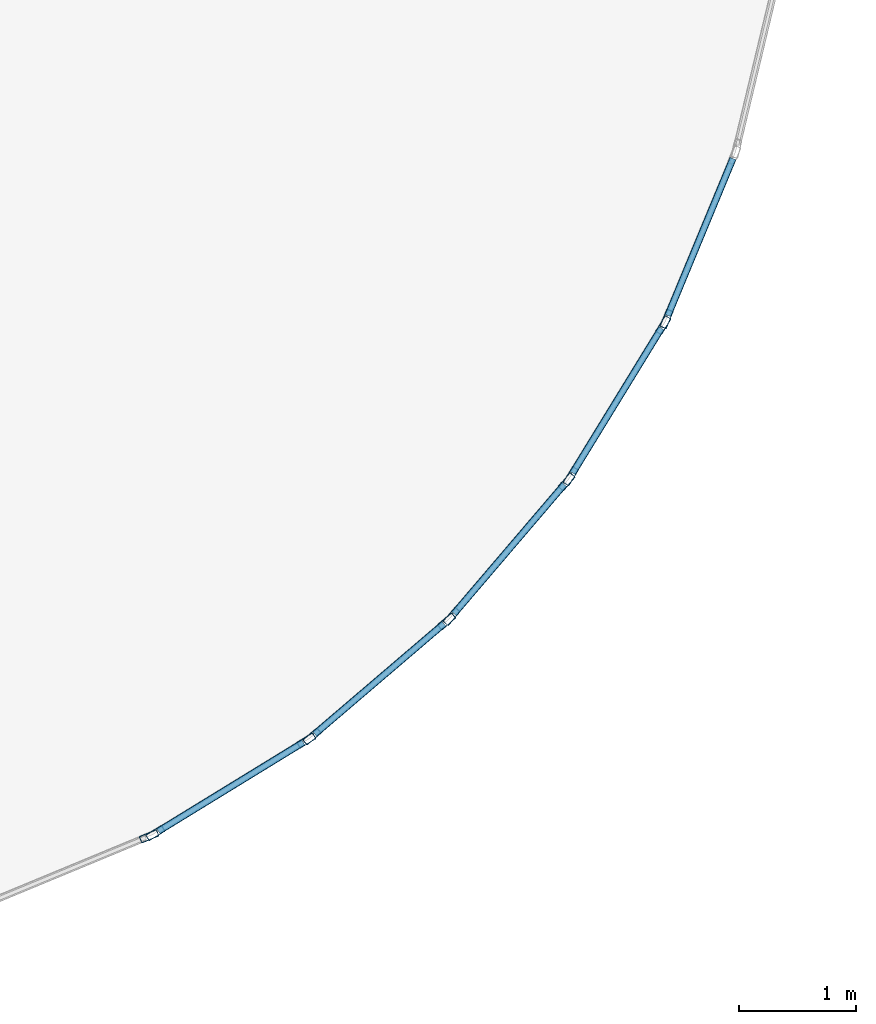
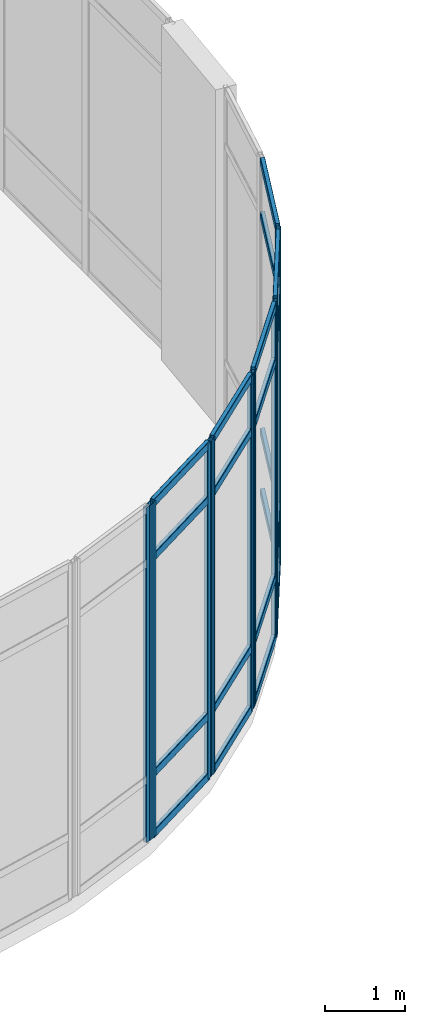
# One storey, part 71 of 114: 30 members, 6 elements without a shape of their own.
"""IFC4 building model written with IfcOpenShell, lengths in metres."""

from ifc_helpers import new_model, si_unit, derived_unit, direction, frame, origin, origin_2d, place, context, subcontext, project, spatial, hollow_rectangle, extrude, material, layer, layer_set, material_profile, profile_set, type_object, element, aggregate, save


model = new_model("IFC4")

# Units and contexts
model_context = context("Model", 3, precision=1e-05, world=origin(), true_north=direction((0.0, 1.0)))
body_context = subcontext(model_context, "Body", "Model", "MODEL_VIEW")
ifc_project = project(units=[si_unit("LENGTHUNIT", "METRE"), si_unit("AREAUNIT", "SQUARE_METRE"), si_unit("VOLUMEUNIT", "CUBIC_METRE"), si_unit("PLANEANGLEUNIT", "RADIAN"), si_unit("MASSUNIT", "GRAM", prefix="KILO"), derived_unit("THERMALTRANSMITTANCEUNIT", [(si_unit("MASSUNIT", "GRAM", prefix="KILO"), 1), (si_unit("TIMEUNIT", "SECOND"), -3), (si_unit("THERMODYNAMICTEMPERATUREUNIT", "KELVIN"), -1)])], contexts=[model_context])

# Site, building, storey
site_placement = place(None, origin())
site = spatial("IfcSite", under=ifc_project, at=site_placement, CompositionType="ELEMENT")
building_placement = place(site_placement, origin())
building = spatial("IfcBuilding", under=site, at=building_placement, Name="Qinzheling Arcade Emporium", CompositionType="ELEMENT")
storey_placement = place(building_placement, frame((0.0, 0.0, 6.0)))
storey = spatial("IfcBuildingStorey", under=building, at=storey_placement, Name="L02", CompositionType="ELEMENT", Elevation=6.0)

# Curtain wall, member
ifc_material_1 = material(Name="Anodised aluminium and solar-control double glazing", Category="aluminium")
ifc_layer = layer(ifc_material_1, 0.159912109375, Name="Anodised aluminium and solar-control double glazing", Category="aluminium")
ifc_layer_set = layer_set([ifc_layer], Name="Anodised aluminium and solar-control double glazing")
curtain_wall_type = type_object("IfcCurtainWallType", Name="Curved Ribbon Sales Curtain Wall", PredefinedType="NOTDEFINED", material=ifc_layer_set)
curtain_wall_1_placement = place(storey_placement, origin())
curtain_wall_1 = element("IfcCurtainWall", 1, at=curtain_wall_1_placement, inside=storey, type_object=curtain_wall_type, Name="Curtain Wall CW-L02-115", PredefinedType="NOTDEFINED")
ifc_material_2 = material(Name="Anodised aluminium 6063-T6", Category="aluminium")
ifc_material_profile_1 = material_profile(ifc_material_2, hollow_rectangle(XDim=0.06005859375, YDim=0.159912109375, WallThickness=0.00390625, InnerFilletRadius=0.00390625, OuterFilletRadius=0.008056640625, at=origin_2d()), Name="RHS 160x60x4", Category="aluminium")
ifc_profile_set_1 = profile_set([ifc_material_profile_1], Name="Anodised aluminium 6063-T6")
member_type_1 = type_object("IfcMemberType", Name="Curtain Wall Mullion RHS160x60", PredefinedType="MULLION", material=ifc_profile_set_1)
member_1_placement = place(storey_placement, frame((146.821533203125, 79.28759765625, 0.0), z_axis=(0.0, 0.0, 1.0), x_axis=(0.923791586038, -0.382895684967, 0.0)))
member_1 = element("IfcMember", 2, at=member_1_placement, type_object=member_type_1, Name="CW02 mullion 2", PredefinedType="MULLION", context=body_context, shape_type="SweptSolid", body=[
    extrude(hollow_rectangle(XDim=0.06005859375, YDim=0.159912109375, WallThickness=0.00390625, InnerFilletRadius=0.00390625, OuterFilletRadius=0.008056640625, at=origin_2d()), origin(), (0.0, 0.0, 1.0), 5.090087890625),
])

# Curtain wall, members
curtain_wall_2_placement = place(storey_placement, origin())
curtain_wall_2 = element("IfcCurtainWall", 3, at=curtain_wall_2_placement, inside=storey, type_object=curtain_wall_type, Name="Curtain Wall CW-L02-116", PredefinedType="NOTDEFINED")
member_2_placement = place(storey_placement, frame((146.79443359375, 79.234375, 0.0), z_axis=(0.0, 0.0, 1.0), x_axis=(0.852619568756, -0.522532172191, 0.0)))
member_2 = element("IfcMember", 4, at=member_2_placement, type_object=member_type_1, Name="CW02 mullion 1", PredefinedType="MULLION", context=body_context, shape_type="SweptSolid", body=[
    extrude(hollow_rectangle(XDim=0.06005859375, YDim=0.159912109375, WallThickness=0.00390625, InnerFilletRadius=0.00390625, OuterFilletRadius=0.008056640625, at=origin_2d()), origin(), (0.0, 0.0, 1.0), 5.090087890625),
])
member_3_placement = place(storey_placement, frame((146.005615234375, 77.947509765625, 0.0), z_axis=(0.0, 0.0, 1.0), x_axis=(0.852619568756, -0.522532172191, 0.0)))
member_3 = element("IfcMember", 5, at=member_3_placement, type_object=member_type_1, Name="CW02 mullion 2", PredefinedType="MULLION", context=body_context, shape_type="SweptSolid", body=[
    extrude(hollow_rectangle(XDim=0.06005859375, YDim=0.159912109375, WallThickness=0.00390625, InnerFilletRadius=0.00390625, OuterFilletRadius=0.008056640625, at=origin_2d()), origin(), (0.0, 0.0, 1.0), 5.090087890625),
])

curtain_wall_3_placement = place(storey_placement, origin())
curtain_wall_3 = element("IfcCurtainWall", 6, at=curtain_wall_3_placement, inside=storey, type_object=curtain_wall_type, Name="Curtain Wall CW-L02-117", PredefinedType="NOTDEFINED")
member_4_placement = place(storey_placement, frame((145.970458984375, 77.899169921875, 0.0), z_axis=(0.0, 0.0, 1.0), x_axis=(0.760380235773, -0.649478172878, 0.0)))
member_4 = element("IfcMember", 7, at=member_4_placement, type_object=member_type_1, Name="CW02 mullion 1", PredefinedType="MULLION", context=body_context, shape_type="SweptSolid", body=[
    extrude(hollow_rectangle(XDim=0.06005859375, YDim=0.159912109375, WallThickness=0.00390625, InnerFilletRadius=0.00390625, OuterFilletRadius=0.008056640625, at=origin_2d()), origin(), (0.0, 0.0, 1.0), 5.090087890625),
])
member_5_placement = place(storey_placement, frame((144.990478515625, 76.751708984375, 0.0), z_axis=(0.0, 0.0, 1.0), x_axis=(0.760380235773, -0.649478172878, 0.0)))
member_5 = element("IfcMember", 8, at=member_5_placement, type_object=member_type_1, Name="CW02 mullion 2", PredefinedType="MULLION", context=body_context, shape_type="SweptSolid", body=[
    extrude(hollow_rectangle(XDim=0.06005859375, YDim=0.159912109375, WallThickness=0.00390625, InnerFilletRadius=0.00390625, OuterFilletRadius=0.008056640625, at=origin_2d()), origin(), (0.0, 0.0, 1.0), 5.090087890625),
])

curtain_wall_4_placement = place(storey_placement, origin())
curtain_wall_4 = element("IfcCurtainWall", 9, at=curtain_wall_4_placement, inside=storey, type_object=curtain_wall_type, Name="Curtain Wall CW-L02-118", PredefinedType="NOTDEFINED")
member_6_placement = place(storey_placement, frame((144.9482421875, 76.70947265625, 0.0), z_axis=(0.0, 0.0, 1.0), x_axis=(0.649478172878, -0.760380235773, 0.0)))
member_6 = element("IfcMember", 10, at=member_6_placement, type_object=member_type_1, Name="CW02 mullion 1", PredefinedType="MULLION", context=body_context, shape_type="SweptSolid", body=[
    extrude(hollow_rectangle(XDim=0.06005859375, YDim=0.159912109375, WallThickness=0.00390625, InnerFilletRadius=0.00390625, OuterFilletRadius=0.008056640625, at=origin_2d()), origin(), (0.0, 0.0, 1.0), 5.090087890625),
])
member_7_placement = place(storey_placement, frame((143.80078125, 75.7294921875, 0.0), z_axis=(0.0, 0.0, 1.0), x_axis=(0.649478172878, -0.760380235773, 0.0)))
member_7 = element("IfcMember", 11, at=member_7_placement, type_object=member_type_1, Name="CW02 mullion 2", PredefinedType="MULLION", context=body_context, shape_type="SweptSolid", body=[
    extrude(hollow_rectangle(XDim=0.06005859375, YDim=0.159912109375, WallThickness=0.00390625, InnerFilletRadius=0.00390625, OuterFilletRadius=0.008056640625, at=origin_2d()), origin(), (0.0, 0.0, 1.0), 5.090087890625),
])

curtain_wall_5_placement = place(storey_placement, origin())
curtain_wall_5 = element("IfcCurtainWall", 12, at=curtain_wall_5_placement, inside=storey, type_object=curtain_wall_type, Name="Curtain Wall CW-L02-119", PredefinedType="NOTDEFINED")
member_8_placement = place(storey_placement, frame((143.75244140625, 75.6943359375, 0.0), z_axis=(0.0, 0.0, 1.0), x_axis=(0.522532172191, -0.852619568756, 0.0)))
member_8 = element("IfcMember", 13, at=member_8_placement, type_object=member_type_1, Name="CW02 mullion 1", PredefinedType="MULLION", context=body_context, shape_type="SweptSolid", body=[
    extrude(hollow_rectangle(XDim=0.06005859375, YDim=0.159912109375, WallThickness=0.00390625, InnerFilletRadius=0.00390625, OuterFilletRadius=0.008056640625, at=origin_2d()), origin(), (0.0, 0.0, 1.0), 5.090087890625),
])
member_9_placement = place(storey_placement, frame((142.465576171875, 74.90576171875, 0.0), z_axis=(0.0, 0.0, 1.0), x_axis=(0.522532172191, -0.852619568756, 0.0)))
member_9 = element("IfcMember", 14, at=member_9_placement, type_object=member_type_1, Name="CW02 mullion 2", PredefinedType="MULLION", context=body_context, shape_type="SweptSolid", body=[
    extrude(hollow_rectangle(XDim=0.06005859375, YDim=0.159912109375, WallThickness=0.00390625, InnerFilletRadius=0.00390625, OuterFilletRadius=0.008056640625, at=origin_2d()), origin(), (0.0, 0.0, 1.0), 5.090087890625),
])

# Curtain wall, member
curtain_wall_6_placement = place(storey_placement, origin())
curtain_wall_6 = element("IfcCurtainWall", 15, at=curtain_wall_6_placement, inside=storey, type_object=curtain_wall_type, Name="Curtain Wall CW-L02-120", PredefinedType="NOTDEFINED")
member_10_placement = place(storey_placement, frame((142.412353515625, 74.87841796875, 0.0), z_axis=(0.0, 0.0, 1.0), x_axis=(0.382895684967, -0.923791586038, 0.0)))
member_10 = element("IfcMember", 16, at=member_10_placement, type_object=member_type_1, Name="CW02 mullion 1", PredefinedType="MULLION", context=body_context, shape_type="SweptSolid", body=[
    extrude(hollow_rectangle(XDim=0.06005859375, YDim=0.159912109375, WallThickness=0.00390625, InnerFilletRadius=0.00390625, OuterFilletRadius=0.008056640625, at=origin_2d()), origin(), (0.0, 0.0, 1.0), 5.090087890625),
])
aggregate(curtain_wall_6, [member_10])

# Member
ifc_material_profile_2 = material_profile(ifc_material_2, hollow_rectangle(XDim=0.06005859375, YDim=0.1201171875, WallThickness=0.00390625, InnerFilletRadius=0.00390625, OuterFilletRadius=0.008056640625, at=origin_2d()), Name="RHS 120x60x4", Category="aluminium")
ifc_profile_set_2 = profile_set([ifc_material_profile_2], Name="Anodised aluminium 6063-T6")
member_type_2 = type_object("IfcMemberType", Name="Curtain Wall Transom RHS120x60", PredefinedType="USERDEFINED", material=ifc_profile_set_2)
member_11_placement = place(storey_placement, frame((147.387939453125, 80.654541015625, 0.030029296875), z_axis=(-0.382832738774, -0.923817673636, 0.0), x_axis=(0.923817673636, -0.382832738774, 0.0)))
member_11 = element("IfcMember", 17, at=member_11_placement, type_object=member_type_2, Name="CW02 transom 1.1", ObjectType="TRANSOM", PredefinedType="USERDEFINED", context=body_context, shape_type="SweptSolid", body=[
    extrude(hollow_rectangle(XDim=0.06005859375, YDim=0.1201171875, WallThickness=0.00390625, InnerFilletRadius=0.00390625, OuterFilletRadius=0.008056640625, at=origin_2d()), origin(), (0.0, 0.0, 1.0), 1.449462890625),
])

member_12_placement = place(storey_placement, frame((147.387939453125, 80.654541015625, 0.949951171875), z_axis=(-0.382832738774, -0.923817673636, 0.0), x_axis=(0.923817673636, -0.382832738774, 0.0)))
member_12 = element("IfcMember", 18, at=member_12_placement, type_object=member_type_2, Name="CW02 transom 1.2", ObjectType="TRANSOM", PredefinedType="USERDEFINED", context=body_context, shape_type="SweptSolid", body=[
    extrude(hollow_rectangle(XDim=0.06005859375, YDim=0.1201171875, WallThickness=0.00390625, InnerFilletRadius=0.00390625, OuterFilletRadius=0.008056640625, at=origin_2d()), origin(), (0.0, 0.0, 1.0), 1.449462890625),
])

member_13_placement = place(storey_placement, frame((147.387939453125, 80.654541015625, 4.239990234375), z_axis=(-0.382832738774, -0.923817673636, 0.0), x_axis=(0.923817673636, -0.382832738774, 0.0)))
member_13 = element("IfcMember", 19, at=member_13_placement, type_object=member_type_2, Name="CW02 transom 1.3", ObjectType="TRANSOM", PredefinedType="USERDEFINED", context=body_context, shape_type="SweptSolid", body=[
    extrude(hollow_rectangle(XDim=0.06005859375, YDim=0.1201171875, WallThickness=0.00390625, InnerFilletRadius=0.00390625, OuterFilletRadius=0.008056640625, at=origin_2d()), origin(), (0.0, 0.0, 1.0), 1.449462890625),
])

member_14_placement = place(storey_placement, frame((147.387939453125, 80.654541015625, 5.06005859375), z_axis=(-0.382832738774, -0.923817673636, 0.0), x_axis=(0.923817673636, -0.382832738774, 0.0)))
member_14 = element("IfcMember", 20, at=member_14_placement, type_object=member_type_2, Name="CW02 transom 1.4", ObjectType="TRANSOM", PredefinedType="USERDEFINED", context=body_context, shape_type="SweptSolid", body=[
    extrude(hollow_rectangle(XDim=0.06005859375, YDim=0.1201171875, WallThickness=0.00390625, InnerFilletRadius=0.00390625, OuterFilletRadius=0.008056640625, at=origin_2d()), origin(), (0.0, 0.0, 1.0), 1.449462890625),
])

aggregate(curtain_wall_1, [member_1, member_11, member_12, member_13, member_14])

member_15_placement = place(storey_placement, frame((146.778564453125, 79.208740234375, 0.030029296875), z_axis=(-0.522573908945, -0.852593988772, 0.0), x_axis=(0.852593988772, -0.522573908945, 0.0)))
member_15 = element("IfcMember", 21, at=member_15_placement, type_object=member_type_2, Name="CW02 transom 1.1", ObjectType="TRANSOM", PredefinedType="USERDEFINED", context=body_context, shape_type="SweptSolid", body=[
    extrude(hollow_rectangle(XDim=0.06005859375, YDim=0.1201171875, WallThickness=0.00390625, InnerFilletRadius=0.00390625, OuterFilletRadius=0.008056640625, at=origin_2d()), origin(), (0.0, 0.0, 1.0), 1.44921875),
])

member_16_placement = place(storey_placement, frame((146.778564453125, 79.208740234375, 0.949951171875), z_axis=(-0.522573908945, -0.852593988772, 0.0), x_axis=(0.852593988772, -0.522573908945, 0.0)))
member_16 = element("IfcMember", 22, at=member_16_placement, type_object=member_type_2, Name="CW02 transom 1.2", ObjectType="TRANSOM", PredefinedType="USERDEFINED", context=body_context, shape_type="SweptSolid", body=[
    extrude(hollow_rectangle(XDim=0.06005859375, YDim=0.1201171875, WallThickness=0.00390625, InnerFilletRadius=0.00390625, OuterFilletRadius=0.008056640625, at=origin_2d()), origin(), (0.0, 0.0, 1.0), 1.44921875),
])

member_17_placement = place(storey_placement, frame((146.778564453125, 79.208740234375, 4.239990234375), z_axis=(-0.522573908945, -0.852593988772, 0.0), x_axis=(0.852593988772, -0.522573908945, 0.0)))
member_17 = element("IfcMember", 23, at=member_17_placement, type_object=member_type_2, Name="CW02 transom 1.3", ObjectType="TRANSOM", PredefinedType="USERDEFINED", context=body_context, shape_type="SweptSolid", body=[
    extrude(hollow_rectangle(XDim=0.06005859375, YDim=0.1201171875, WallThickness=0.00390625, InnerFilletRadius=0.00390625, OuterFilletRadius=0.008056640625, at=origin_2d()), origin(), (0.0, 0.0, 1.0), 1.44921875),
])

member_18_placement = place(storey_placement, frame((146.778564453125, 79.208740234375, 5.06005859375), z_axis=(-0.522573908945, -0.852593988772, 0.0), x_axis=(0.852593988772, -0.522573908945, 0.0)))
member_18 = element("IfcMember", 24, at=member_18_placement, type_object=member_type_2, Name="CW02 transom 1.4", ObjectType="TRANSOM", PredefinedType="USERDEFINED", context=body_context, shape_type="SweptSolid", body=[
    extrude(hollow_rectangle(XDim=0.06005859375, YDim=0.1201171875, WallThickness=0.00390625, InnerFilletRadius=0.00390625, OuterFilletRadius=0.008056640625, at=origin_2d()), origin(), (0.0, 0.0, 1.0), 1.44921875),
])

aggregate(curtain_wall_2, [member_2, member_3, member_15, member_16, member_17, member_18])

member_19_placement = place(storey_placement, frame((145.950927734375, 77.87646484375, 0.030029296875), z_axis=(-0.649402631716, -0.760444752707, 0.0), x_axis=(0.760444752707, -0.649402631716, 0.0)))
member_19 = element("IfcMember", 25, at=member_19_placement, type_object=member_type_2, Name="CW02 transom 1.1", ObjectType="TRANSOM", PredefinedType="USERDEFINED", context=body_context, shape_type="SweptSolid", body=[
    extrude(hollow_rectangle(XDim=0.06005859375, YDim=0.1201171875, WallThickness=0.00390625, InnerFilletRadius=0.00390625, OuterFilletRadius=0.008056640625, at=origin_2d()), origin(), (0.0, 0.0, 1.0), 1.448974609375),
])

member_20_placement = place(storey_placement, frame((145.950927734375, 77.87646484375, 0.949951171875), z_axis=(-0.649402631716, -0.760444752707, 0.0), x_axis=(0.760444752707, -0.649402631716, 0.0)))
member_20 = element("IfcMember", 26, at=member_20_placement, type_object=member_type_2, Name="CW02 transom 1.2", ObjectType="TRANSOM", PredefinedType="USERDEFINED", context=body_context, shape_type="SweptSolid", body=[
    extrude(hollow_rectangle(XDim=0.06005859375, YDim=0.1201171875, WallThickness=0.00390625, InnerFilletRadius=0.00390625, OuterFilletRadius=0.008056640625, at=origin_2d()), origin(), (0.0, 0.0, 1.0), 1.448974609375),
])

member_21_placement = place(storey_placement, frame((145.950927734375, 77.87646484375, 4.239990234375), z_axis=(-0.649402631716, -0.760444752707, 0.0), x_axis=(0.760444752707, -0.649402631716, 0.0)))
member_21 = element("IfcMember", 27, at=member_21_placement, type_object=member_type_2, Name="CW02 transom 1.3", ObjectType="TRANSOM", PredefinedType="USERDEFINED", context=body_context, shape_type="SweptSolid", body=[
    extrude(hollow_rectangle(XDim=0.06005859375, YDim=0.1201171875, WallThickness=0.00390625, InnerFilletRadius=0.00390625, OuterFilletRadius=0.008056640625, at=origin_2d()), origin(), (0.0, 0.0, 1.0), 1.448974609375),
])

member_22_placement = place(storey_placement, frame((145.950927734375, 77.87646484375, 5.06005859375), z_axis=(-0.649402631716, -0.760444752707, 0.0), x_axis=(0.760444752707, -0.649402631716, 0.0)))
member_22 = element("IfcMember", 28, at=member_22_placement, type_object=member_type_2, Name="CW02 transom 1.4", ObjectType="TRANSOM", PredefinedType="USERDEFINED", context=body_context, shape_type="SweptSolid", body=[
    extrude(hollow_rectangle(XDim=0.06005859375, YDim=0.1201171875, WallThickness=0.00390625, InnerFilletRadius=0.00390625, OuterFilletRadius=0.008056640625, at=origin_2d()), origin(), (0.0, 0.0, 1.0), 1.448974609375),
])

aggregate(curtain_wall_3, [member_4, member_5, member_19, member_20, member_21, member_22])

member_23_placement = place(storey_placement, frame((144.92529296875, 76.68994140625, 0.030029296875), z_axis=(-0.760373678193, -0.649485850124, 0.0), x_axis=(0.649485850124, -0.760373678193, 0.0)))
member_23 = element("IfcMember", 29, at=member_23_placement, type_object=member_type_2, Name="CW02 transom 1.1", ObjectType="TRANSOM", PredefinedType="USERDEFINED", context=body_context, shape_type="SweptSolid", body=[
    extrude(hollow_rectangle(XDim=0.06005859375, YDim=0.1201171875, WallThickness=0.00390625, InnerFilletRadius=0.00390625, OuterFilletRadius=0.008056640625, at=origin_2d()), origin(), (0.0, 0.0, 1.0), 1.44873046875),
])

member_24_placement = place(storey_placement, frame((144.92529296875, 76.68994140625, 0.949951171875), z_axis=(-0.760373678193, -0.649485850124, 0.0), x_axis=(0.649485850124, -0.760373678193, 0.0)))
member_24 = element("IfcMember", 30, at=member_24_placement, type_object=member_type_2, Name="CW02 transom 1.2", ObjectType="TRANSOM", PredefinedType="USERDEFINED", context=body_context, shape_type="SweptSolid", body=[
    extrude(hollow_rectangle(XDim=0.06005859375, YDim=0.1201171875, WallThickness=0.00390625, InnerFilletRadius=0.00390625, OuterFilletRadius=0.008056640625, at=origin_2d()), origin(), (0.0, 0.0, 1.0), 1.44873046875),
])

member_25_placement = place(storey_placement, frame((144.92529296875, 76.68994140625, 4.239990234375), z_axis=(-0.760373678193, -0.649485850124, 0.0), x_axis=(0.649485850124, -0.760373678193, 0.0)))
member_25 = element("IfcMember", 31, at=member_25_placement, type_object=member_type_2, Name="CW02 transom 1.3", ObjectType="TRANSOM", PredefinedType="USERDEFINED", context=body_context, shape_type="SweptSolid", body=[
    extrude(hollow_rectangle(XDim=0.06005859375, YDim=0.1201171875, WallThickness=0.00390625, InnerFilletRadius=0.00390625, OuterFilletRadius=0.008056640625, at=origin_2d()), origin(), (0.0, 0.0, 1.0), 1.44873046875),
])

member_26_placement = place(storey_placement, frame((144.92529296875, 76.68994140625, 5.06005859375), z_axis=(-0.760373678193, -0.649485850124, 0.0), x_axis=(0.649485850124, -0.760373678193, 0.0)))
member_26 = element("IfcMember", 32, at=member_26_placement, type_object=member_type_2, Name="CW02 transom 1.4", ObjectType="TRANSOM", PredefinedType="USERDEFINED", context=body_context, shape_type="SweptSolid", body=[
    extrude(hollow_rectangle(XDim=0.06005859375, YDim=0.1201171875, WallThickness=0.00390625, InnerFilletRadius=0.00390625, OuterFilletRadius=0.008056640625, at=origin_2d()), origin(), (0.0, 0.0, 1.0), 1.44873046875),
])

aggregate(curtain_wall_4, [member_6, member_7, member_23, member_24, member_25, member_26])

member_27_placement = place(storey_placement, frame((143.726806640625, 75.6787109375, 0.030029296875), z_axis=(-0.852593988772, -0.522573908945, 0.0), x_axis=(0.522573908945, -0.852593988772, 0.0)))
member_27 = element("IfcMember", 33, at=member_27_placement, type_object=member_type_2, Name="CW02 transom 1.1", ObjectType="TRANSOM", PredefinedType="USERDEFINED", context=body_context, shape_type="SweptSolid", body=[
    extrude(hollow_rectangle(XDim=0.06005859375, YDim=0.1201171875, WallThickness=0.00390625, InnerFilletRadius=0.00390625, OuterFilletRadius=0.008056640625, at=origin_2d()), origin(), (0.0, 0.0, 1.0), 1.44921875),
])

member_28_placement = place(storey_placement, frame((143.726806640625, 75.6787109375, 0.949951171875), z_axis=(-0.852593988772, -0.522573908945, 0.0), x_axis=(0.522573908945, -0.852593988772, 0.0)))
member_28 = element("IfcMember", 34, at=member_28_placement, type_object=member_type_2, Name="CW02 transom 1.2", ObjectType="TRANSOM", PredefinedType="USERDEFINED", context=body_context, shape_type="SweptSolid", body=[
    extrude(hollow_rectangle(XDim=0.06005859375, YDim=0.1201171875, WallThickness=0.00390625, InnerFilletRadius=0.00390625, OuterFilletRadius=0.008056640625, at=origin_2d()), origin(), (0.0, 0.0, 1.0), 1.44921875),
])

member_29_placement = place(storey_placement, frame((143.726806640625, 75.6787109375, 4.239990234375), z_axis=(-0.852593988772, -0.522573908945, 0.0), x_axis=(0.522573908945, -0.852593988772, 0.0)))
member_29 = element("IfcMember", 35, at=member_29_placement, type_object=member_type_2, Name="CW02 transom 1.3", ObjectType="TRANSOM", PredefinedType="USERDEFINED", context=body_context, shape_type="SweptSolid", body=[
    extrude(hollow_rectangle(XDim=0.06005859375, YDim=0.1201171875, WallThickness=0.00390625, InnerFilletRadius=0.00390625, OuterFilletRadius=0.008056640625, at=origin_2d()), origin(), (0.0, 0.0, 1.0), 1.44921875),
])

member_30_placement = place(storey_placement, frame((143.726806640625, 75.6787109375, 5.06005859375), z_axis=(-0.852593988772, -0.522573908945, 0.0), x_axis=(0.522573908945, -0.852593988772, 0.0)))
member_30 = element("IfcMember", 36, at=member_30_placement, type_object=member_type_2, Name="CW02 transom 1.4", ObjectType="TRANSOM", PredefinedType="USERDEFINED", context=body_context, shape_type="SweptSolid", body=[
    extrude(hollow_rectangle(XDim=0.06005859375, YDim=0.1201171875, WallThickness=0.00390625, InnerFilletRadius=0.00390625, OuterFilletRadius=0.008056640625, at=origin_2d()), origin(), (0.0, 0.0, 1.0), 1.44921875),
])

aggregate(curtain_wall_5, [member_8, member_9, member_27, member_28, member_29, member_30])

save(model, "model.ifc")
